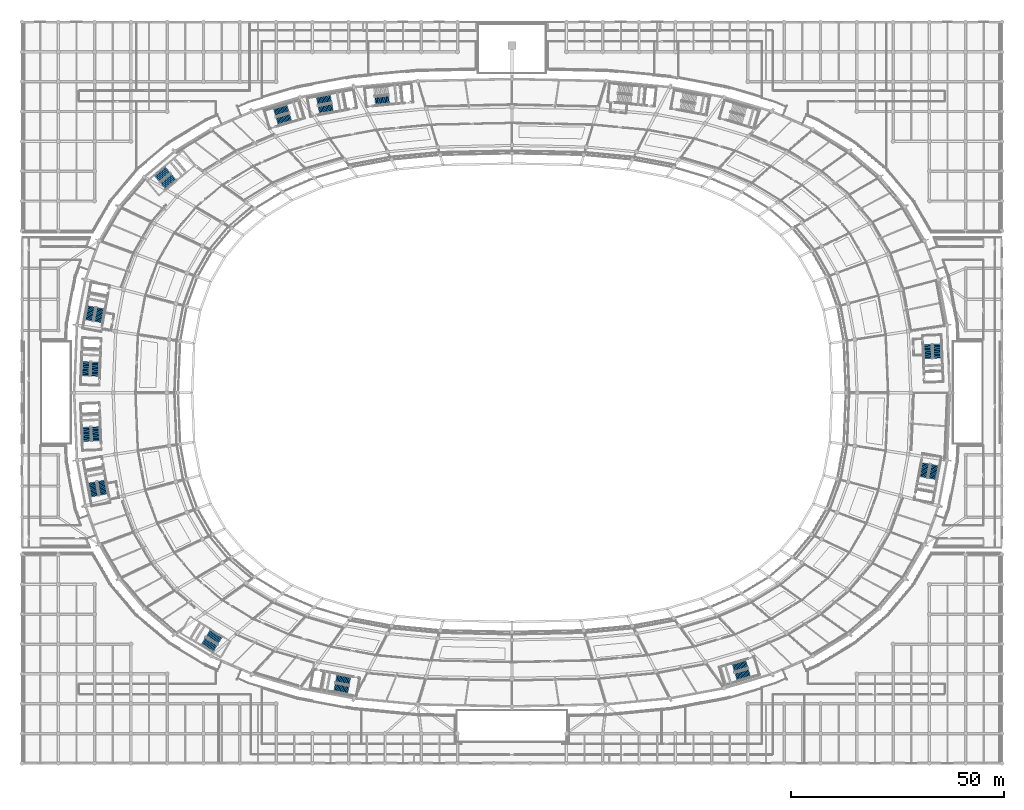
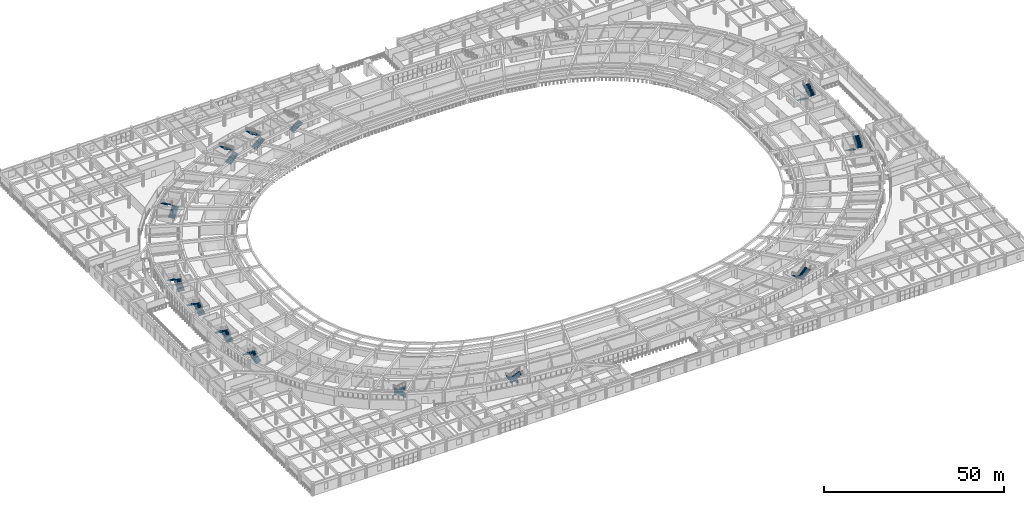
# One storey, part 115 of 145: 25 stair flights, 13 elements without a shape of their own.
"""IFC4 building model written with IfcOpenShell, lengths in metres."""

from ifc_helpers import new_model, si_unit, direction, frame, origin, place, context, subcontext, project, spatial, polyline, outline, extrude, material, type_object, element, aggregate, save


model = new_model("IFC4")

# Units and contexts
model_context = context("Model", 3, precision=1e-05, world=origin(), true_north=direction((0.0, 1.0)))
body_context = subcontext(model_context, "Body", "Model", "MODEL_VIEW")
ifc_project = project(units=[si_unit("LENGTHUNIT", "METRE"), si_unit("AREAUNIT", "SQUARE_METRE"), si_unit("VOLUMEUNIT", "CUBIC_METRE"), si_unit("PLANEANGLEUNIT", "RADIAN"), si_unit("MASSUNIT", "GRAM", prefix="KILO")], contexts=[model_context])

# Site, building, storey
site_placement = place(None, origin())
site = spatial("IfcSite", under=ifc_project, at=site_placement, CompositionType="ELEMENT")
building_placement = place(site_placement, origin())
building = spatial("IfcBuilding", under=site, at=building_placement, Name="Mphavela Belvedere Stadium", CompositionType="ELEMENT")
storey_placement = place(building_placement, frame((0.0, 0.0, 10.199951171875)))
storey = spatial("IfcBuildingStorey", under=building, at=storey_placement, Name="L02", CompositionType="ELEMENT", Elevation=10.199951171875)

# Stair, stair flights
ifc_material_1 = material(Name="Concrete C40/50", Category="concrete")
stair_type_1 = type_object("IfcStairType", Name="STR-HALF-TURN-1", PredefinedType="HALF_TURN_STAIR", material=ifc_material_1)
stair_1_placement = place(storey_placement, origin())
stair_1 = element("IfcStair", 1, at=stair_1_placement, inside=storey, type_object=stair_type_1, Name="L02 Escape stair core C01", PredefinedType="HALF_TURN_STAIR")
ifc_material_2 = material(Name="Concrete C40/50", Category="concrete")
stair_flight_type = type_object("IfcStairFlightType", Name="SFL-CORE-152", PredefinedType="STRAIGHT", material=ifc_material_2)
stair_flight_1_placement = place(storey_placement, frame((212.57373046875, 98.3193359375, 0.0), z_axis=(0.0, 0.0, 1.0), x_axis=(0.041875653729, -0.999122830099, 0.0)))
stair_flight_1 = element("IfcStairFlight", 2, at=stair_flight_1_placement, type_object=stair_flight_type, Name="ST-C01 flight 1", NumberOfRisers=12, NumberOfTreads=11, PredefinedType="STRAIGHT", RiserHeight=0.1875, TreadLength=0.302, context=body_context, shape_type="SweptSolid", body=[
    extrude(outline(polyline([(0.0, 0.0), (0.0, 0.1875), (0.302001953125, 0.1875), (0.302001953125, 0.375), (0.60400390625, 0.375), (0.60400390625, 0.5625), (0.906005859375, 0.5625), (0.906005859375, 0.75), (1.2080078125, 0.75), (1.2080078125, 0.9375), (1.510009765625, 0.9375), (1.510009765625, 1.125), (1.81201171875, 1.125), (1.81201171875, 1.3125), (2.114013671875, 1.3125), (2.114013671875, 1.5), (2.416015625, 1.5), (2.416015625, 1.6875), (2.718017578125, 1.6875), (2.718017578125, 1.875), (3.02001953125, 1.875), (3.02001953125, 2.0625), (3.322021484375, 2.0625), (3.322021484375, 2.25), (3.322021484375, 1.885986328125), (0.2841796875, 0.0), (0.0, 0.0)])), frame((0.0, 1.010009765625, 0.0), z_axis=(0.0, -1.0, 0.0), x_axis=(1.0, 0.0, 0.0)), (0.0, 0.0, 1.0), 2.02001953125),
])
stair_flight_2_placement = place(storey_placement, frame((214.881103515625, 95.091064453125, 2.25), z_axis=(0.0, 0.0, 1.0), x_axis=(-0.041875653729, 0.999122830099, 0.0)))
stair_flight_2 = element("IfcStairFlight", 3, at=stair_flight_2_placement, type_object=stair_flight_type, Name="ST-C01 flight 2", NumberOfRisers=12, NumberOfTreads=11, PredefinedType="STRAIGHT", RiserHeight=0.1875, TreadLength=0.302, context=body_context, shape_type="SweptSolid", body=[
    extrude(outline(polyline([(0.0, 0.0), (0.0, 0.1875), (0.302001953125, 0.1875), (0.302001953125, 0.375), (0.60400390625, 0.375), (0.60400390625, 0.5625), (0.906005859375, 0.5625), (0.906005859375, 0.75), (1.2080078125, 0.75), (1.2080078125, 0.9375), (1.510009765625, 0.9375), (1.510009765625, 1.125), (1.81201171875, 1.125), (1.81201171875, 1.3125), (2.114013671875, 1.3125), (2.114013671875, 1.5), (2.416015625, 1.5), (2.416015625, 1.6875), (2.718017578125, 1.6875), (2.718017578125, 1.875), (3.02001953125, 1.875), (3.02001953125, 2.0625), (3.322021484375, 2.0625), (3.322021484375, 2.25), (3.322021484375, 1.885986328125), (0.2841796875, 0.0), (0.0, 0.0)])), frame((0.0, 1.010009765625, 0.0), z_axis=(0.0, -1.0, 0.0), x_axis=(1.0, 0.0, 0.0)), (0.0, 0.0, 1.0), 2.02001953125),
])
aggregate(stair_1, [stair_flight_1, stair_flight_2])

ifc_material_3 = material(Name="Concrete C40/50", Category="concrete")
stair_type_2 = type_object("IfcStairType", Name="STR-HALF-TURN-2", PredefinedType="HALF_TURN_STAIR", material=ifc_material_3)
stair_2_placement = place(storey_placement, origin())
stair_2 = element("IfcStair", 4, at=stair_2_placement, inside=storey, type_object=stair_type_2, Name="L02 Escape stair core C02", PredefinedType="HALF_TURN_STAIR")
stair_flight_3_placement = place(storey_placement, frame((69.651611328125, 153.302490234375, 0.0), z_axis=(0.0, 0.0, 1.0), x_axis=(0.983095502692, 0.183093507769, 0.0)))
stair_flight_3 = element("IfcStairFlight", 5, at=stair_flight_3_placement, type_object=stair_flight_type, Name="ST-C02 flight 1", NumberOfRisers=12, NumberOfTreads=11, PredefinedType="STRAIGHT", RiserHeight=0.1875, TreadLength=0.302, context=body_context, shape_type="SweptSolid", body=[
    extrude(outline(polyline([(0.0, 0.0), (0.0, 0.1875), (0.302001953125, 0.1875), (0.302001953125, 0.375), (0.60400390625, 0.375), (0.60400390625, 0.5625), (0.906005859375, 0.5625), (0.906005859375, 0.75), (1.2080078125, 0.75), (1.2080078125, 0.9375), (1.510009765625, 0.9375), (1.510009765625, 1.125), (1.81201171875, 1.125), (1.81201171875, 1.3125), (2.114013671875, 1.3125), (2.114013671875, 1.5), (2.416015625, 1.5), (2.416015625, 1.6875), (2.718017578125, 1.6875), (2.718017578125, 1.875), (3.02001953125, 1.875), (3.02001953125, 2.0625), (3.322021484375, 2.0625), (3.322021484375, 2.25), (3.322021484375, 1.885986328125), (0.2841796875, 0.0), (0.0, 0.0)])), frame((0.0, 1.010009765625, 0.0), z_axis=(0.0, -1.0, 0.0), x_axis=(1.0, 0.0, 0.0)), (0.0, 0.0, 1.0), 2.02001953125),
])
stair_flight_4_placement = place(storey_placement, frame((72.520263671875, 156.0439453125, 2.25), z_axis=(0.0, 0.0, 1.0), x_axis=(-0.983095502692, -0.183093507769, 0.0)))
stair_flight_4 = element("IfcStairFlight", 6, at=stair_flight_4_placement, type_object=stair_flight_type, Name="ST-C02 flight 2", NumberOfRisers=12, NumberOfTreads=11, PredefinedType="STRAIGHT", RiserHeight=0.1875, TreadLength=0.302, context=body_context, shape_type="SweptSolid", body=[
    extrude(outline(polyline([(0.0, 0.0), (0.0, 0.1875), (0.302001953125, 0.1875), (0.302001953125, 0.375), (0.60400390625, 0.375), (0.60400390625, 0.5625), (0.906005859375, 0.5625), (0.906005859375, 0.75), (1.2080078125, 0.75), (1.2080078125, 0.9375), (1.510009765625, 0.9375), (1.510009765625, 1.125), (1.81201171875, 1.125), (1.81201171875, 1.3125), (2.114013671875, 1.3125), (2.114013671875, 1.5), (2.416015625, 1.5), (2.416015625, 1.6875), (2.718017578125, 1.6875), (2.718017578125, 1.875), (3.02001953125, 1.875), (3.02001953125, 2.0625), (3.322021484375, 2.0625), (3.322021484375, 2.25), (3.322021484375, 1.885986328125), (0.2841796875, 0.0), (0.0, 0.0)])), frame((0.0, 1.010009765625, 0.0), z_axis=(0.0, -1.0, 0.0), x_axis=(1.0, 0.0, 0.0)), (0.0, 0.0, 1.0), 2.02001953125),
])
aggregate(stair_2, [stair_flight_3, stair_flight_4])

# Stair, stair flight
stair_3_placement = place(storey_placement, origin())
stair_3 = element("IfcStair", 7, at=stair_3_placement, inside=storey, type_object=stair_type_1, Name="L02 Escape stair core C04", PredefinedType="HALF_TURN_STAIR")
stair_flight_5_placement = place(storey_placement, frame((82.85693359375, 155.44775390625, 0.0), z_axis=(0.0, 0.0, 1.0), x_axis=(0.995479460536, 0.094977069084, 0.0)))
stair_flight_5 = element("IfcStairFlight", 8, at=stair_flight_5_placement, type_object=stair_flight_type, Name="ST-C04 flight 1", NumberOfRisers=12, NumberOfTreads=11, PredefinedType="STRAIGHT", RiserHeight=0.1875, TreadLength=0.302, context=body_context, shape_type="SweptSolid", body=[
    extrude(outline(polyline([(0.0, 0.0), (0.0, 0.1875), (0.302001953125, 0.1875), (0.302001953125, 0.375), (0.60400390625, 0.375), (0.60400390625, 0.5625), (0.906005859375, 0.5625), (0.906005859375, 0.75), (1.2080078125, 0.75), (1.2080078125, 0.9375), (1.510009765625, 0.9375), (1.510009765625, 1.125), (1.81201171875, 1.125), (1.81201171875, 1.3125), (2.114013671875, 1.3125), (2.114013671875, 1.5), (2.416015625, 1.5), (2.416015625, 1.6875), (2.718017578125, 1.6875), (2.718017578125, 1.875), (3.02001953125, 1.875), (3.02001953125, 2.0625), (3.322021484375, 2.0625), (3.322021484375, 2.25), (3.322021484375, 1.885986328125), (0.2841796875, 0.0), (0.0, 0.0)])), frame((0.0, 1.010009765625, 0.0), z_axis=(0.0, -1.0, 0.0), x_axis=(1.0, 0.0, 0.0)), (0.0, 0.0, 1.0), 2.02001953125),
])
aggregate(stair_3, [stair_flight_5])

# Stair, stair flights
stair_4_placement = place(storey_placement, origin())
stair_4 = element("IfcStair", 9, at=stair_4_placement, inside=storey, type_object=stair_type_2, Name="L02 Escape stair core C05", PredefinedType="HALF_TURN_STAIR")
stair_flight_6_placement = place(storey_placement, frame((33.068115234375, 135.525146484375, 0.0), z_axis=(0.0, 0.0, 1.0), x_axis=(0.764246456939, 0.644924300253, 0.0)))
stair_flight_6 = element("IfcStairFlight", 10, at=stair_flight_6_placement, type_object=stair_flight_type, Name="ST-C05 flight 1", NumberOfRisers=12, NumberOfTreads=11, PredefinedType="STRAIGHT", RiserHeight=0.1875, TreadLength=0.302, context=body_context, shape_type="SweptSolid", body=[
    extrude(outline(polyline([(0.0, 0.0), (0.0, 0.1875), (0.302001953125, 0.1875), (0.302001953125, 0.375), (0.60400390625, 0.375), (0.60400390625, 0.5625), (0.906005859375, 0.5625), (0.906005859375, 0.75), (1.2080078125, 0.75), (1.2080078125, 0.9375), (1.510009765625, 0.9375), (1.510009765625, 1.125), (1.81201171875, 1.125), (1.81201171875, 1.3125), (2.114013671875, 1.3125), (2.114013671875, 1.5), (2.416015625, 1.5), (2.416015625, 1.6875), (2.718017578125, 1.6875), (2.718017578125, 1.875), (3.02001953125, 1.875), (3.02001953125, 2.0625), (3.322021484375, 2.0625), (3.322021484375, 2.25), (3.322021484375, 1.885986328125), (0.2841796875, 0.0), (0.0, 0.0)])), frame((0.0, 1.010009765625, 0.0), z_axis=(0.0, -1.0, 0.0), x_axis=(1.0, 0.0, 0.0)), (0.0, 0.0, 1.0), 2.02001953125),
])
stair_flight_7_placement = place(storey_placement, frame((34.20751953125, 139.326171875, 2.25), z_axis=(0.0, 0.0, 1.0), x_axis=(-0.764246456939, -0.644924300253, 0.0)))
stair_flight_7 = element("IfcStairFlight", 11, at=stair_flight_7_placement, type_object=stair_flight_type, Name="ST-C05 flight 2", NumberOfRisers=12, NumberOfTreads=11, PredefinedType="STRAIGHT", RiserHeight=0.1875, TreadLength=0.302, context=body_context, shape_type="SweptSolid", body=[
    extrude(outline(polyline([(0.0, 0.0), (0.0, 0.1875), (0.302001953125, 0.1875), (0.302001953125, 0.375), (0.60400390625, 0.375), (0.60400390625, 0.5625), (0.906005859375, 0.5625), (0.906005859375, 0.75), (1.2080078125, 0.75), (1.2080078125, 0.9375), (1.510009765625, 0.9375), (1.510009765625, 1.125), (1.81201171875, 1.125), (1.81201171875, 1.3125), (2.114013671875, 1.3125), (2.114013671875, 1.5), (2.416015625, 1.5), (2.416015625, 1.6875), (2.718017578125, 1.6875), (2.718017578125, 1.875), (3.02001953125, 1.875), (3.02001953125, 2.0625), (3.322021484375, 2.0625), (3.322021484375, 2.25), (3.322021484375, 1.885986328125), (0.2841796875, 0.0), (0.0, 0.0)])), frame((0.0, 1.010009765625, 0.0), z_axis=(0.0, -1.0, 0.0), x_axis=(1.0, 0.0, 0.0)), (0.0, 0.0, 1.0), 2.02001953125),
])
aggregate(stair_4, [stair_flight_6, stair_flight_7])

ifc_material_4 = material(Name="Concrete C40/50", Category="concrete")
stair_type_3 = type_object("IfcStairType", Name="STR-HALF-TURN-3", PredefinedType="HALF_TURN_STAIR", material=ifc_material_4)
stair_5_placement = place(storey_placement, origin())
stair_5 = element("IfcStair", 12, at=stair_5_placement, inside=storey, type_object=stair_type_3, Name="L02 Escape stair core C06", PredefinedType="HALF_TURN_STAIR")
stair_flight_8_placement = place(storey_placement, frame((17.851806640625, 103.57861328125, 0.0), z_axis=(0.0, 0.0, 1.0), x_axis=(0.182578735093, 0.983191235463, 0.0)))
stair_flight_8 = element("IfcStairFlight", 13, at=stair_flight_8_placement, type_object=stair_flight_type, Name="ST-C06 flight 1", NumberOfRisers=12, NumberOfTreads=11, PredefinedType="STRAIGHT", RiserHeight=0.1875, TreadLength=0.302, context=body_context, shape_type="SweptSolid", body=[
    extrude(outline(polyline([(0.0, 0.0), (0.0, 0.1875), (0.302001953125, 0.1875), (0.302001953125, 0.375), (0.60400390625, 0.375), (0.60400390625, 0.5625), (0.906005859375, 0.5625), (0.906005859375, 0.75), (1.2080078125, 0.75), (1.2080078125, 0.9375), (1.510009765625, 0.9375), (1.510009765625, 1.125), (1.81201171875, 1.125), (1.81201171875, 1.3125), (2.114013671875, 1.3125), (2.114013671875, 1.5), (2.416015625, 1.5), (2.416015625, 1.6875), (2.718017578125, 1.6875), (2.718017578125, 1.875), (3.02001953125, 1.875), (3.02001953125, 2.0625), (3.322021484375, 2.0625), (3.322021484375, 2.25), (3.322021484375, 1.885986328125), (0.2841796875, 0.0), (0.0, 0.0)])), frame((0.0, 1.010009765625, 0.0), z_axis=(0.0, -1.0, 0.0), x_axis=(1.0, 0.0, 0.0)), (0.0, 0.0, 1.0), 2.02001953125),
])
stair_flight_9_placement = place(storey_placement, frame((16.32470703125, 107.240966796875, 2.25), z_axis=(0.0, 0.0, 1.0), x_axis=(-0.182578735093, -0.983191235463, 0.0)))
stair_flight_9 = element("IfcStairFlight", 14, at=stair_flight_9_placement, type_object=stair_flight_type, Name="ST-C06 flight 2", NumberOfRisers=12, NumberOfTreads=11, PredefinedType="STRAIGHT", RiserHeight=0.1875, TreadLength=0.302, context=body_context, shape_type="SweptSolid", body=[
    extrude(outline(polyline([(0.0, 0.0), (0.0, 0.1875), (0.302001953125, 0.1875), (0.302001953125, 0.375), (0.60400390625, 0.375), (0.60400390625, 0.5625), (0.906005859375, 0.5625), (0.906005859375, 0.75), (1.2080078125, 0.75), (1.2080078125, 0.9375), (1.510009765625, 0.9375), (1.510009765625, 1.125), (1.81201171875, 1.125), (1.81201171875, 1.3125), (2.114013671875, 1.3125), (2.114013671875, 1.5), (2.416015625, 1.5), (2.416015625, 1.6875), (2.718017578125, 1.6875), (2.718017578125, 1.875), (3.02001953125, 1.875), (3.02001953125, 2.0625), (3.322021484375, 2.0625), (3.322021484375, 2.25), (3.322021484375, 1.885986328125), (0.2841796875, 0.0), (0.0, 0.0)])), frame((0.0, 1.010009765625, 0.0), z_axis=(0.0, -1.0, 0.0), x_axis=(1.0, 0.0, 0.0)), (0.0, 0.0, 1.0), 2.02001953125),
])
aggregate(stair_5, [stair_flight_8, stair_flight_9])

stair_6_placement = place(storey_placement, origin())
stair_6 = element("IfcStair", 15, at=stair_6_placement, inside=storey, type_object=stair_type_1, Name="L02 Escape stair core C07", PredefinedType="HALF_TURN_STAIR")
stair_flight_10_placement = place(storey_placement, frame((17.11376953125, 90.86572265625, 0.0), z_axis=(0.0, 0.0, 1.0), x_axis=(0.041875653729, 0.999122830099, 0.0)))
stair_flight_10 = element("IfcStairFlight", 16, at=stair_flight_10_placement, type_object=stair_flight_type, Name="ST-C07 flight 1", NumberOfRisers=12, NumberOfTreads=11, PredefinedType="STRAIGHT", RiserHeight=0.1875, TreadLength=0.302, context=body_context, shape_type="SweptSolid", body=[
    extrude(outline(polyline([(0.0, 0.0), (0.0, 0.1875), (0.302001953125, 0.1875), (0.302001953125, 0.375), (0.60400390625, 0.375), (0.60400390625, 0.5625), (0.906005859375, 0.5625), (0.906005859375, 0.75), (1.2080078125, 0.75), (1.2080078125, 0.9375), (1.510009765625, 0.9375), (1.510009765625, 1.125), (1.81201171875, 1.125), (1.81201171875, 1.3125), (2.114013671875, 1.3125), (2.114013671875, 1.5), (2.416015625, 1.5), (2.416015625, 1.6875), (2.718017578125, 1.6875), (2.718017578125, 1.875), (3.02001953125, 1.875), (3.02001953125, 2.0625), (3.322021484375, 2.0625), (3.322021484375, 2.25), (3.322021484375, 1.885986328125), (0.2841796875, 0.0), (0.0, 0.0)])), frame((0.0, 1.010009765625, 0.0), z_axis=(0.0, -1.0, 0.0), x_axis=(1.0, 0.0, 0.0)), (0.0, 0.0, 1.0), 2.02001953125),
])
stair_flight_11_placement = place(storey_placement, frame((15.0849609375, 94.27587890625, 2.25), z_axis=(0.0, 0.0, 1.0), x_axis=(-0.041875653729, -0.999122830099, 0.0)))
stair_flight_11 = element("IfcStairFlight", 17, at=stair_flight_11_placement, type_object=stair_flight_type, Name="ST-C07 flight 2", NumberOfRisers=12, NumberOfTreads=11, PredefinedType="STRAIGHT", RiserHeight=0.1875, TreadLength=0.302, context=body_context, shape_type="SweptSolid", body=[
    extrude(outline(polyline([(0.0, 0.0), (0.0, 0.1875), (0.302001953125, 0.1875), (0.302001953125, 0.375), (0.60400390625, 0.375), (0.60400390625, 0.5625), (0.906005859375, 0.5625), (0.906005859375, 0.75), (1.2080078125, 0.75), (1.2080078125, 0.9375), (1.510009765625, 0.9375), (1.510009765625, 1.125), (1.81201171875, 1.125), (1.81201171875, 1.3125), (2.114013671875, 1.3125), (2.114013671875, 1.5), (2.416015625, 1.5), (2.416015625, 1.6875), (2.718017578125, 1.6875), (2.718017578125, 1.875), (3.02001953125, 1.875), (3.02001953125, 2.0625), (3.322021484375, 2.0625), (3.322021484375, 2.25), (3.322021484375, 1.885986328125), (0.2841796875, 0.0), (0.0, 0.0)])), frame((0.0, 1.010009765625, 0.0), z_axis=(0.0, -1.0, 0.0), x_axis=(1.0, 0.0, 0.0)), (0.0, 0.0, 1.0), 2.02001953125),
])
aggregate(stair_6, [stair_flight_10, stair_flight_11])

stair_7_placement = place(storey_placement, origin())
stair_7 = element("IfcStair", 18, at=stair_7_placement, inside=storey, type_object=stair_type_2, Name="L02 Escape stair core C08", PredefinedType="HALF_TURN_STAIR")
stair_flight_12_placement = place(storey_placement, frame((17.42626953125, 75.6806640625, 0.0), z_axis=(0.0, 0.0, 1.0), x_axis=(-0.041875653729, 0.999122830099, 0.0)))
stair_flight_12 = element("IfcStairFlight", 19, at=stair_flight_12_placement, type_object=stair_flight_type, Name="ST-C08 flight 1", NumberOfRisers=12, NumberOfTreads=11, PredefinedType="STRAIGHT", RiserHeight=0.1875, TreadLength=0.302, context=body_context, shape_type="SweptSolid", body=[
    extrude(outline(polyline([(0.0, 0.0), (0.0, 0.1875), (0.302001953125, 0.1875), (0.302001953125, 0.375), (0.60400390625, 0.375), (0.60400390625, 0.5625), (0.906005859375, 0.5625), (0.906005859375, 0.75), (1.2080078125, 0.75), (1.2080078125, 0.9375), (1.510009765625, 0.9375), (1.510009765625, 1.125), (1.81201171875, 1.125), (1.81201171875, 1.3125), (2.114013671875, 1.3125), (2.114013671875, 1.5), (2.416015625, 1.5), (2.416015625, 1.6875), (2.718017578125, 1.6875), (2.718017578125, 1.875), (3.02001953125, 1.875), (3.02001953125, 2.0625), (3.322021484375, 2.0625), (3.322021484375, 2.25), (3.322021484375, 1.885986328125), (0.2841796875, 0.0), (0.0, 0.0)])), frame((0.0, 1.010009765625, 0.0), z_axis=(0.0, -1.0, 0.0), x_axis=(1.0, 0.0, 0.0)), (0.0, 0.0, 1.0), 2.02001953125),
])
stair_flight_13_placement = place(storey_placement, frame((15.118896484375, 78.908935546875, 2.25), z_axis=(0.0, 0.0, 1.0), x_axis=(0.041875653729, -0.999122830099, 0.0)))
stair_flight_13 = element("IfcStairFlight", 20, at=stair_flight_13_placement, type_object=stair_flight_type, Name="ST-C08 flight 2", NumberOfRisers=12, NumberOfTreads=11, PredefinedType="STRAIGHT", RiserHeight=0.1875, TreadLength=0.302, context=body_context, shape_type="SweptSolid", body=[
    extrude(outline(polyline([(0.0, 0.0), (0.0, 0.1875), (0.302001953125, 0.1875), (0.302001953125, 0.375), (0.60400390625, 0.375), (0.60400390625, 0.5625), (0.906005859375, 0.5625), (0.906005859375, 0.75), (1.2080078125, 0.75), (1.2080078125, 0.9375), (1.510009765625, 0.9375), (1.510009765625, 1.125), (1.81201171875, 1.125), (1.81201171875, 1.3125), (2.114013671875, 1.3125), (2.114013671875, 1.5), (2.416015625, 1.5), (2.416015625, 1.6875), (2.718017578125, 1.6875), (2.718017578125, 1.875), (3.02001953125, 1.875), (3.02001953125, 2.0625), (3.322021484375, 2.0625), (3.322021484375, 2.25), (3.322021484375, 1.885986328125), (0.2841796875, 0.0), (0.0, 0.0)])), frame((0.0, 1.010009765625, 0.0), z_axis=(0.0, -1.0, 0.0), x_axis=(1.0, 0.0, 0.0)), (0.0, 0.0, 1.0), 2.02001953125),
])
aggregate(stair_7, [stair_flight_12, stair_flight_13])

stair_8_placement = place(storey_placement, origin())
stair_8 = element("IfcStair", 21, at=stair_8_placement, inside=storey, type_object=stair_type_3, Name="L02 Escape stair core C09", PredefinedType="HALF_TURN_STAIR")
stair_flight_14_placement = place(storey_placement, frame((19.2138671875, 63.0869140625, 0.0), z_axis=(0.0, 0.0, 1.0), x_axis=(-0.182578735093, 0.983191235463, 0.0)))
stair_flight_14 = element("IfcStairFlight", 22, at=stair_flight_14_placement, type_object=stair_flight_type, Name="ST-C09 flight 1", NumberOfRisers=12, NumberOfTreads=11, PredefinedType="STRAIGHT", RiserHeight=0.1875, TreadLength=0.302, context=body_context, shape_type="SweptSolid", body=[
    extrude(outline(polyline([(0.0, 0.0), (0.0, 0.1875), (0.302001953125, 0.1875), (0.302001953125, 0.375), (0.60400390625, 0.375), (0.60400390625, 0.5625), (0.906005859375, 0.5625), (0.906005859375, 0.75), (1.2080078125, 0.75), (1.2080078125, 0.9375), (1.510009765625, 0.9375), (1.510009765625, 1.125), (1.81201171875, 1.125), (1.81201171875, 1.3125), (2.114013671875, 1.3125), (2.114013671875, 1.5), (2.416015625, 1.5), (2.416015625, 1.6875), (2.718017578125, 1.6875), (2.718017578125, 1.875), (3.02001953125, 1.875), (3.02001953125, 2.0625), (3.322021484375, 2.0625), (3.322021484375, 2.25), (3.322021484375, 1.885986328125), (0.2841796875, 0.0), (0.0, 0.0)])), frame((0.0, 1.010009765625, 0.0), z_axis=(0.0, -1.0, 0.0), x_axis=(1.0, 0.0, 0.0)), (0.0, 0.0, 1.0), 2.02001953125),
])
stair_flight_15_placement = place(storey_placement, frame((16.4736328125, 65.956787109375, 2.25), z_axis=(0.0, 0.0, 1.0), x_axis=(0.182578735093, -0.983191235463, 0.0)))
stair_flight_15 = element("IfcStairFlight", 23, at=stair_flight_15_placement, type_object=stair_flight_type, Name="ST-C09 flight 2", NumberOfRisers=12, NumberOfTreads=11, PredefinedType="STRAIGHT", RiserHeight=0.1875, TreadLength=0.302, context=body_context, shape_type="SweptSolid", body=[
    extrude(outline(polyline([(0.0, 0.0), (0.0, 0.1875), (0.302001953125, 0.1875), (0.302001953125, 0.375), (0.60400390625, 0.375), (0.60400390625, 0.5625), (0.906005859375, 0.5625), (0.906005859375, 0.75), (1.2080078125, 0.75), (1.2080078125, 0.9375), (1.510009765625, 0.9375), (1.510009765625, 1.125), (1.81201171875, 1.125), (1.81201171875, 1.3125), (2.114013671875, 1.3125), (2.114013671875, 1.5), (2.416015625, 1.5), (2.416015625, 1.6875), (2.718017578125, 1.6875), (2.718017578125, 1.875), (3.02001953125, 1.875), (3.02001953125, 2.0625), (3.322021484375, 2.0625), (3.322021484375, 2.25), (3.322021484375, 1.885986328125), (0.2841796875, 0.0), (0.0, 0.0)])), frame((0.0, 1.010009765625, 0.0), z_axis=(0.0, -1.0, 0.0), x_axis=(1.0, 0.0, 0.0)), (0.0, 0.0, 1.0), 2.02001953125),
])
aggregate(stair_8, [stair_flight_14, stair_flight_15])

stair_9_placement = place(storey_placement, origin())
stair_9 = element("IfcStair", 24, at=stair_9_placement, inside=storey, type_object=stair_type_1, Name="L02 Escape stair core C10", PredefinedType="HALF_TURN_STAIR")
stair_flight_16_placement = place(storey_placement, frame((46.510498046875, 28.82666015625, 0.0), z_axis=(0.0, 0.0, 1.0), x_axis=(-0.854368143929, 0.519668235165, 0.0)))
stair_flight_16 = element("IfcStairFlight", 25, at=stair_flight_16_placement, type_object=stair_flight_type, Name="ST-C10 flight 1", NumberOfRisers=12, NumberOfTreads=11, PredefinedType="STRAIGHT", RiserHeight=0.1875, TreadLength=0.302, context=body_context, shape_type="SweptSolid", body=[
    extrude(outline(polyline([(0.0, 0.0), (0.0, 0.1875), (0.302001953125, 0.1875), (0.302001953125, 0.375), (0.60400390625, 0.375), (0.60400390625, 0.5625), (0.906005859375, 0.5625), (0.906005859375, 0.75), (1.2080078125, 0.75), (1.2080078125, 0.9375), (1.510009765625, 0.9375), (1.510009765625, 1.125), (1.81201171875, 1.125), (1.81201171875, 1.3125), (2.114013671875, 1.3125), (2.114013671875, 1.5), (2.416015625, 1.5), (2.416015625, 1.6875), (2.718017578125, 1.6875), (2.718017578125, 1.875), (3.02001953125, 1.875), (3.02001953125, 2.0625), (3.322021484375, 2.0625), (3.322021484375, 2.25), (3.322021484375, 1.885986328125), (0.2841796875, 0.0), (0.0, 0.0)])), frame((0.0, 1.010009765625, 0.0), z_axis=(0.0, -1.0, 0.0), x_axis=(1.0, 0.0, 0.0)), (0.0, 0.0, 1.0), 2.02001953125),
])
stair_flight_17_placement = place(storey_placement, frame((42.544677734375, 28.698974609375, 2.25), z_axis=(0.0, 0.0, 1.0), x_axis=(0.854368143929, -0.519668235165, 0.0)))
stair_flight_17 = element("IfcStairFlight", 26, at=stair_flight_17_placement, type_object=stair_flight_type, Name="ST-C10 flight 2", NumberOfRisers=12, NumberOfTreads=11, PredefinedType="STRAIGHT", RiserHeight=0.1875, TreadLength=0.302, context=body_context, shape_type="SweptSolid", body=[
    extrude(outline(polyline([(0.0, 0.0), (0.0, 0.1875), (0.302001953125, 0.1875), (0.302001953125, 0.375), (0.60400390625, 0.375), (0.60400390625, 0.5625), (0.906005859375, 0.5625), (0.906005859375, 0.75), (1.2080078125, 0.75), (1.2080078125, 0.9375), (1.510009765625, 0.9375), (1.510009765625, 1.125), (1.81201171875, 1.125), (1.81201171875, 1.3125), (2.114013671875, 1.3125), (2.114013671875, 1.5), (2.416015625, 1.5), (2.416015625, 1.6875), (2.718017578125, 1.6875), (2.718017578125, 1.875), (3.02001953125, 1.875), (3.02001953125, 2.0625), (3.322021484375, 2.0625), (3.322021484375, 2.25), (3.322021484375, 1.885986328125), (0.2841796875, 0.0), (0.0, 0.0)])), frame((0.0, 1.010009765625, 0.0), z_axis=(0.0, -1.0, 0.0), x_axis=(1.0, 0.0, 0.0)), (0.0, 0.0, 1.0), 2.02001953125),
])
aggregate(stair_9, [stair_flight_16, stair_flight_17])

stair_10_placement = place(storey_placement, origin())
stair_10 = element("IfcStair", 27, at=stair_10_placement, inside=storey, type_object=stair_type_2, Name="L02 Escape stair core C11", PredefinedType="HALF_TURN_STAIR")
stair_flight_18_placement = place(storey_placement, frame((76.985595703125, 19.331787109375, 0.0), z_axis=(0.0, 0.0, 1.0), x_axis=(-0.983095502692, 0.183093507769, 0.0)))
stair_flight_18 = element("IfcStairFlight", 28, at=stair_flight_18_placement, type_object=stair_flight_type, Name="ST-C11 flight 1", NumberOfRisers=12, NumberOfTreads=11, PredefinedType="STRAIGHT", RiserHeight=0.1875, TreadLength=0.302, context=body_context, shape_type="SweptSolid", body=[
    extrude(outline(polyline([(0.0, 0.0), (0.0, 0.1875), (0.302001953125, 0.1875), (0.302001953125, 0.375), (0.60400390625, 0.375), (0.60400390625, 0.5625), (0.906005859375, 0.5625), (0.906005859375, 0.75), (1.2080078125, 0.75), (1.2080078125, 0.9375), (1.510009765625, 0.9375), (1.510009765625, 1.125), (1.81201171875, 1.125), (1.81201171875, 1.3125), (2.114013671875, 1.3125), (2.114013671875, 1.5), (2.416015625, 1.5), (2.416015625, 1.6875), (2.718017578125, 1.6875), (2.718017578125, 1.875), (3.02001953125, 1.875), (3.02001953125, 2.0625), (3.322021484375, 2.0625), (3.322021484375, 2.25), (3.322021484375, 1.885986328125), (0.2841796875, 0.0), (0.0, 0.0)])), frame((0.0, 1.010009765625, 0.0), z_axis=(0.0, -1.0, 0.0), x_axis=(1.0, 0.0, 0.0)), (0.0, 0.0, 1.0), 2.02001953125),
])
stair_flight_19_placement = place(storey_placement, frame((73.322509765625, 17.806640625, 2.25), z_axis=(0.0, 0.0, 1.0), x_axis=(0.983095502692, -0.183093507769, 0.0)))
stair_flight_19 = element("IfcStairFlight", 29, at=stair_flight_19_placement, type_object=stair_flight_type, Name="ST-C11 flight 2", NumberOfRisers=12, NumberOfTreads=11, PredefinedType="STRAIGHT", RiserHeight=0.1875, TreadLength=0.302, context=body_context, shape_type="SweptSolid", body=[
    extrude(outline(polyline([(0.0, 0.0), (0.0, 0.1875), (0.302001953125, 0.1875), (0.302001953125, 0.375), (0.60400390625, 0.375), (0.60400390625, 0.5625), (0.906005859375, 0.5625), (0.906005859375, 0.75), (1.2080078125, 0.75), (1.2080078125, 0.9375), (1.510009765625, 0.9375), (1.510009765625, 1.125), (1.81201171875, 1.125), (1.81201171875, 1.3125), (2.114013671875, 1.3125), (2.114013671875, 1.5), (2.416015625, 1.5), (2.416015625, 1.6875), (2.718017578125, 1.6875), (2.718017578125, 1.875), (3.02001953125, 1.875), (3.02001953125, 2.0625), (3.322021484375, 2.0625), (3.322021484375, 2.25), (3.322021484375, 1.885986328125), (0.2841796875, 0.0), (0.0, 0.0)])), frame((0.0, 1.010009765625, 0.0), z_axis=(0.0, -1.0, 0.0), x_axis=(1.0, 0.0, 0.0)), (0.0, 0.0, 1.0), 2.02001953125),
])
aggregate(stair_10, [stair_flight_18, stair_flight_19])

stair_11_placement = place(storey_placement, origin())
stair_11 = element("IfcStair", 30, at=stair_11_placement, inside=storey, type_object=stair_type_3, Name="L02 Escape stair core C12", PredefinedType="HALF_TURN_STAIR")
stair_flight_20_placement = place(storey_placement, frame((212.148193359375, 70.42138671875, 0.0), z_axis=(0.0, 0.0, 1.0), x_axis=(-0.182578735093, -0.983191235463, 0.0)))
stair_flight_20 = element("IfcStairFlight", 31, at=stair_flight_20_placement, type_object=stair_flight_type, Name="ST-C12 flight 1", NumberOfRisers=12, NumberOfTreads=11, PredefinedType="STRAIGHT", RiserHeight=0.1875, TreadLength=0.302, context=body_context, shape_type="SweptSolid", body=[
    extrude(outline(polyline([(0.0, 0.0), (0.0, 0.1875), (0.302001953125, 0.1875), (0.302001953125, 0.375), (0.60400390625, 0.375), (0.60400390625, 0.5625), (0.906005859375, 0.5625), (0.906005859375, 0.75), (1.2080078125, 0.75), (1.2080078125, 0.9375), (1.510009765625, 0.9375), (1.510009765625, 1.125), (1.81201171875, 1.125), (1.81201171875, 1.3125), (2.114013671875, 1.3125), (2.114013671875, 1.5), (2.416015625, 1.5), (2.416015625, 1.6875), (2.718017578125, 1.6875), (2.718017578125, 1.875), (3.02001953125, 1.875), (3.02001953125, 2.0625), (3.322021484375, 2.0625), (3.322021484375, 2.25), (3.322021484375, 1.885986328125), (0.2841796875, 0.0), (0.0, 0.0)])), frame((0.0, 1.010009765625, 0.0), z_axis=(0.0, -1.0, 0.0), x_axis=(1.0, 0.0, 0.0)), (0.0, 0.0, 1.0), 2.02001953125),
])
stair_flight_21_placement = place(storey_placement, frame((213.67529296875, 66.759033203125, 2.25), z_axis=(0.0, 0.0, 1.0), x_axis=(0.182578735093, 0.983191235463, 0.0)))
stair_flight_21 = element("IfcStairFlight", 32, at=stair_flight_21_placement, type_object=stair_flight_type, Name="ST-C12 flight 2", NumberOfRisers=12, NumberOfTreads=11, PredefinedType="STRAIGHT", RiserHeight=0.1875, TreadLength=0.302, context=body_context, shape_type="SweptSolid", body=[
    extrude(outline(polyline([(0.0, 0.0), (0.0, 0.1875), (0.302001953125, 0.1875), (0.302001953125, 0.375), (0.60400390625, 0.375), (0.60400390625, 0.5625), (0.906005859375, 0.5625), (0.906005859375, 0.75), (1.2080078125, 0.75), (1.2080078125, 0.9375), (1.510009765625, 0.9375), (1.510009765625, 1.125), (1.81201171875, 1.125), (1.81201171875, 1.3125), (2.114013671875, 1.3125), (2.114013671875, 1.5), (2.416015625, 1.5), (2.416015625, 1.6875), (2.718017578125, 1.6875), (2.718017578125, 1.875), (3.02001953125, 1.875), (3.02001953125, 2.0625), (3.322021484375, 2.0625), (3.322021484375, 2.25), (3.322021484375, 1.885986328125), (0.2841796875, 0.0), (0.0, 0.0)])), frame((0.0, 1.010009765625, 0.0), z_axis=(0.0, -1.0, 0.0), x_axis=(1.0, 0.0, 0.0)), (0.0, 0.0, 1.0), 2.02001953125),
])
aggregate(stair_11, [stair_flight_20, stair_flight_21])

ifc_material_5 = material(Name="Precast concrete C45/55", Category="concrete")
stair_type_4 = type_object("IfcStairType", Name="STR-TWO-RET-1", PredefinedType="TWO_STRAIGHT_RUN_STAIR", material=ifc_material_5)
stair_12_placement = place(storey_placement, origin())
stair_12 = element("IfcStair", 33, at=stair_12_placement, inside=storey, type_object=stair_type_4, Name="L02 Escape stair core P03", PredefinedType="TWO_STRAIGHT_RUN_STAIR")
stair_flight_22_placement = place(storey_placement, frame((59.873046875, 150.666015625, 0.0), z_axis=(0.0, 0.0, 1.0), x_axis=(0.958670893355, 0.284517342588, 0.0)))
stair_flight_22 = element("IfcStairFlight", 34, at=stair_flight_22_placement, type_object=stair_flight_type, Name="ST-P03 flight 1", NumberOfRisers=12, NumberOfTreads=11, PredefinedType="STRAIGHT", RiserHeight=0.1875, TreadLength=0.302, context=body_context, shape_type="SweptSolid", body=[
    extrude(outline(polyline([(0.0, 0.0), (0.0, 0.1875), (0.302001953125, 0.1875), (0.302001953125, 0.375), (0.60400390625, 0.375), (0.60400390625, 0.5625), (0.906005859375, 0.5625), (0.906005859375, 0.75), (1.2080078125, 0.75), (1.2080078125, 0.9375), (1.510009765625, 0.9375), (1.510009765625, 1.125), (1.81201171875, 1.125), (1.81201171875, 1.3125), (2.114013671875, 1.3125), (2.114013671875, 1.5), (2.416015625, 1.5), (2.416015625, 1.6875), (2.718017578125, 1.6875), (2.718017578125, 1.875), (3.02001953125, 1.875), (3.02001953125, 2.0625), (3.322021484375, 2.0625), (3.322021484375, 2.25), (3.322021484375, 1.885986328125), (0.2841796875, 0.0), (0.0, 0.0)])), frame((0.0, 1.010009765625, 0.0), z_axis=(0.0, -1.0, 0.0), x_axis=(1.0, 0.0, 0.0)), (0.0, 0.0, 1.0), 2.02001953125),
])
stair_flight_23_placement = place(storey_placement, frame((62.4404296875, 153.69140625, 2.25), z_axis=(0.0, 0.0, 1.0), x_axis=(-0.958670893355, -0.284517342588, 0.0)))
stair_flight_23 = element("IfcStairFlight", 35, at=stair_flight_23_placement, type_object=stair_flight_type, Name="ST-P03 flight 2", NumberOfRisers=12, NumberOfTreads=11, PredefinedType="STRAIGHT", RiserHeight=0.1875, TreadLength=0.302, context=body_context, shape_type="SweptSolid", body=[
    extrude(outline(polyline([(0.0, 0.0), (0.0, 0.1875), (0.302001953125, 0.1875), (0.302001953125, 0.375), (0.60400390625, 0.375), (0.60400390625, 0.5625), (0.906005859375, 0.5625), (0.906005859375, 0.75), (1.2080078125, 0.75), (1.2080078125, 0.9375), (1.510009765625, 0.9375), (1.510009765625, 1.125), (1.81201171875, 1.125), (1.81201171875, 1.3125), (2.114013671875, 1.3125), (2.114013671875, 1.5), (2.416015625, 1.5), (2.416015625, 1.6875), (2.718017578125, 1.6875), (2.718017578125, 1.875), (3.02001953125, 1.875), (3.02001953125, 2.0625), (3.322021484375, 2.0625), (3.322021484375, 2.25), (3.322021484375, 1.885986328125), (0.2841796875, 0.0), (0.0, 0.0)])), frame((0.0, 1.010009765625, 0.0), z_axis=(0.0, -1.0, 0.0), x_axis=(1.0, 0.0, 0.0)), (0.0, 0.0, 1.0), 2.02001953125),
])
aggregate(stair_12, [stair_flight_22, stair_flight_23])

ifc_material_6 = material(Name="Precast concrete C45/55", Category="concrete")
stair_type_5 = type_object("IfcStairType", Name="STR-TWO-RET-2", PredefinedType="TWO_STRAIGHT_RUN_STAIR", material=ifc_material_6)
stair_13_placement = place(storey_placement, origin())
stair_13 = element("IfcStair", 36, at=stair_13_placement, inside=storey, type_object=stair_type_5, Name="L02 Escape stair core P04", PredefinedType="TWO_STRAIGHT_RUN_STAIR")
stair_flight_24_placement = place(storey_placement, frame((170.126953125, 23.3330078125, 0.0), z_axis=(0.0, 0.0, 1.0), x_axis=(-0.958670893355, -0.284517342588, 0.0)))
stair_flight_24 = element("IfcStairFlight", 37, at=stair_flight_24_placement, type_object=stair_flight_type, Name="ST-P04 flight 1", NumberOfRisers=12, NumberOfTreads=11, PredefinedType="STRAIGHT", RiserHeight=0.1875, TreadLength=0.302, context=body_context, shape_type="SweptSolid", body=[
    extrude(outline(polyline([(0.0, 0.0), (0.0, 0.1875), (0.302001953125, 0.1875), (0.302001953125, 0.375), (0.60400390625, 0.375), (0.60400390625, 0.5625), (0.906005859375, 0.5625), (0.906005859375, 0.75), (1.2080078125, 0.75), (1.2080078125, 0.9375), (1.510009765625, 0.9375), (1.510009765625, 1.125), (1.81201171875, 1.125), (1.81201171875, 1.3125), (2.114013671875, 1.3125), (2.114013671875, 1.5), (2.416015625, 1.5), (2.416015625, 1.6875), (2.718017578125, 1.6875), (2.718017578125, 1.875), (3.02001953125, 1.875), (3.02001953125, 2.0625), (3.322021484375, 2.0625), (3.322021484375, 2.25), (3.322021484375, 1.885986328125), (0.2841796875, 0.0), (0.0, 0.0)])), frame((0.0, 1.010009765625, 0.0), z_axis=(0.0, -1.0, 0.0), x_axis=(1.0, 0.0, 0.0)), (0.0, 0.0, 1.0), 2.02001953125),
])
stair_flight_25_placement = place(storey_placement, frame((167.5595703125, 20.3076171875, 2.25), z_axis=(0.0, 0.0, 1.0), x_axis=(0.958670893355, 0.284517342588, 0.0)))
stair_flight_25 = element("IfcStairFlight", 38, at=stair_flight_25_placement, type_object=stair_flight_type, Name="ST-P04 flight 2", NumberOfRisers=12, NumberOfTreads=11, PredefinedType="STRAIGHT", RiserHeight=0.1875, TreadLength=0.302, context=body_context, shape_type="SweptSolid", body=[
    extrude(outline(polyline([(0.0, 0.0), (0.0, 0.1875), (0.302001953125, 0.1875), (0.302001953125, 0.375), (0.60400390625, 0.375), (0.60400390625, 0.5625), (0.906005859375, 0.5625), (0.906005859375, 0.75), (1.2080078125, 0.75), (1.2080078125, 0.9375), (1.510009765625, 0.9375), (1.510009765625, 1.125), (1.81201171875, 1.125), (1.81201171875, 1.3125), (2.114013671875, 1.3125), (2.114013671875, 1.5), (2.416015625, 1.5), (2.416015625, 1.6875), (2.718017578125, 1.6875), (2.718017578125, 1.875), (3.02001953125, 1.875), (3.02001953125, 2.0625), (3.322021484375, 2.0625), (3.322021484375, 2.25), (3.322021484375, 1.885986328125), (0.2841796875, 0.0), (0.0, 0.0)])), frame((0.0, 1.010009765625, 0.0), z_axis=(0.0, -1.0, 0.0), x_axis=(1.0, 0.0, 0.0)), (0.0, 0.0, 1.0), 2.02001953125),
])
aggregate(stair_13, [stair_flight_24, stair_flight_25])

save(model, "model.ifc")
